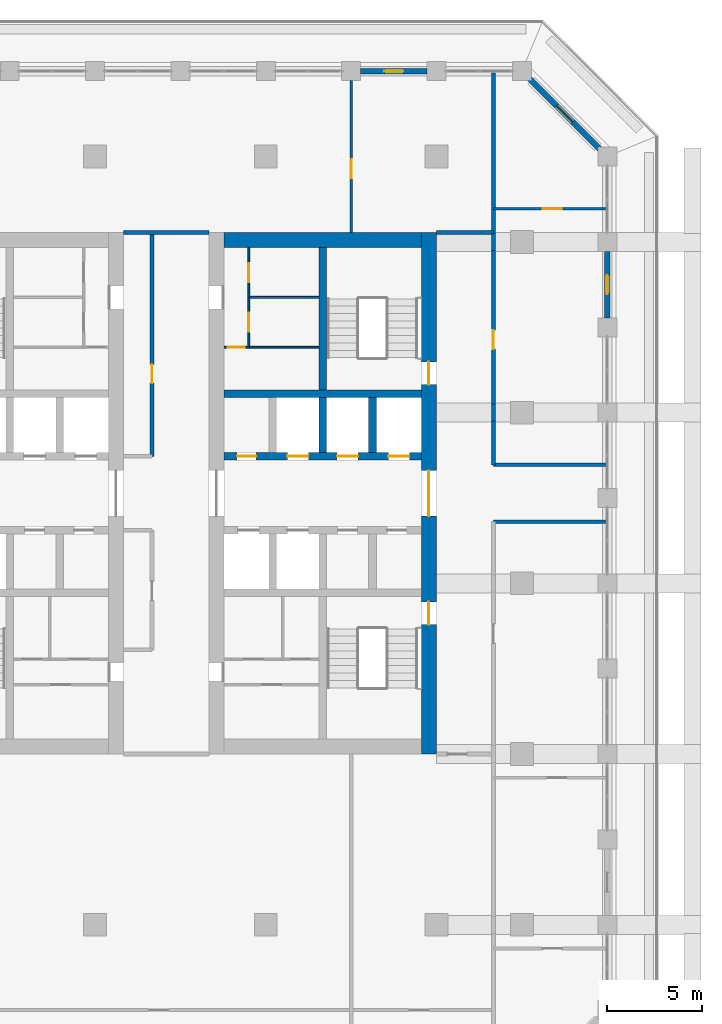
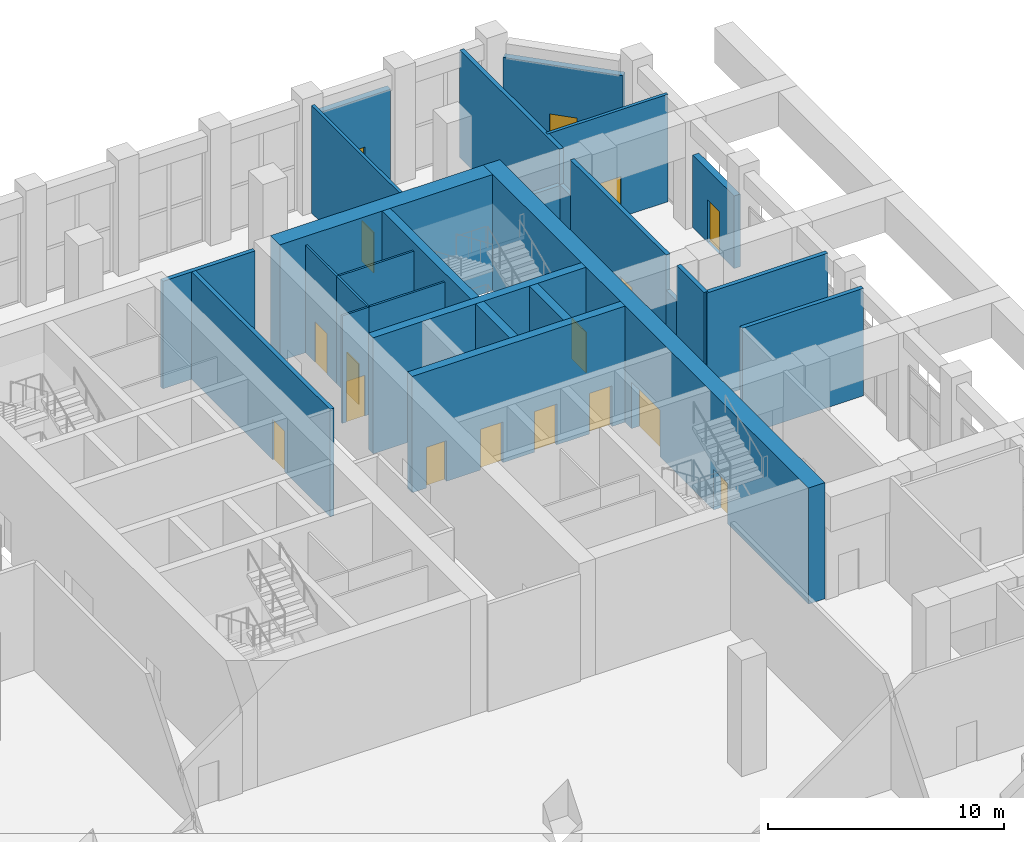
# One storey, part 16 of 25: 27 walls, 17 doors, 17 openings.
"""IFC4 building model written with IfcOpenShell, lengths in metres."""

from ifc_helpers import new_model, si_unit, direction, frame, frame_2d, origin, place, context, subcontext, project, spatial, rectangle, extrude, material, layer, layer_set, type_object, element, fill, save


model = new_model("IFC4")

# Units and contexts
model_context = context("Model", 3, precision=1e-05, world=origin(), true_north=direction((0.0, 1.0)))
body_context = subcontext(model_context, "Body", "Model", "MODEL_VIEW")
ifc_project = project(units=[si_unit("LENGTHUNIT", "METRE"), si_unit("AREAUNIT", "SQUARE_METRE"), si_unit("VOLUMEUNIT", "CUBIC_METRE"), si_unit("PLANEANGLEUNIT", "RADIAN"), si_unit("MASSUNIT", "GRAM", prefix="KILO")], contexts=[model_context])

# Site, building, storey
site_placement = place(None, origin())
site = spatial("IfcSite", under=ifc_project, at=site_placement, CompositionType="ELEMENT")
building_placement = place(site_placement, origin())
building = spatial("IfcBuilding", under=site, at=building_placement, Name="Corbel Stack Research Tower", CompositionType="ELEMENT")
storey_placement = place(building_placement, frame((0.0, 0.0, 185.5)))
storey = spatial("IfcBuildingStorey", under=building, at=storey_placement, Name="L42", CompositionType="ELEMENT", Elevation=185.5)

# Wall, openings, doors
ifc_material_1 = material(Name="Concrete C60/75", Category="concrete")
ifc_layer_1 = layer(ifc_material_1, 0.39990234375)
ifc_layer_set_1 = layer_set([ifc_layer_1], Name="Concrete C60/75")
wall_type_1 = type_object("IfcWallType", Name="CW-400-60", PredefinedType="SHEAR", material=ifc_layer_set_1)
wall_1_placement = place(storey_placement, frame((6.800048828125, 6.699951171875, 0.0), z_axis=(0.0, 0.0, 1.0), x_axis=(1.0, 0.0, 0.0)))
wall_1 = element("IfcWall", 1, at=wall_1_placement, inside=storey, type_object=wall_type_1, Name="East core wall, lobby north L42", PredefinedType="SHEAR", context=body_context, shape_type="SweptSolid", body=[
    extrude(rectangle(XDim=10.39990234375, YDim=0.39990234375, at=frame_2d((5.199951171875, 0.0))), origin(), (0.0, 0.0, 1.0), 6.0),
])
opening_1_placement = place(wall_1_placement, frame((3.33740234375, 0.0, 0.0)))
opening_1 = element("IfcOpeningElement", 2, at=opening_1_placement, cuts=wall_1, Name="Opening LD-HR4", PredefinedType="OPENING", context=body_context, shape_type="SweptSolid", body=[
    extrude(rectangle(XDim=1.10009765625, YDim=2.10009765625, at=frame_2d((0.550048828125, 1.050048828125))), frame((0.0, 0.2099609375, 0.0), z_axis=(0.0, -1.0, 0.0), x_axis=(1.0, 0.0, 0.0)), (0.0, 0.0, 1.0), 0.419921875),
])
opening_2_placement = place(wall_1_placement, frame((5.96240234375, 0.0, 0.0)))
opening_2 = element("IfcOpeningElement", 3, at=opening_2_placement, cuts=wall_1, Name="Opening LD-HR5", PredefinedType="OPENING", context=body_context, shape_type="SweptSolid", body=[
    extrude(rectangle(XDim=1.10009765625, YDim=2.10009765625, at=frame_2d((0.550048828125, 1.050048828125))), frame((0.0, 0.2099609375, 0.0), z_axis=(0.0, -1.0, 0.0), x_axis=(1.0, 0.0, 0.0)), (0.0, 0.0, 1.0), 0.419921875),
])
opening_3_placement = place(wall_1_placement, frame((8.66259765625, 0.0, 0.0)))
opening_3 = element("IfcOpeningElement", 4, at=opening_3_placement, cuts=wall_1, Name="Opening LD-HR6", PredefinedType="OPENING", context=body_context, shape_type="SweptSolid", body=[
    extrude(rectangle(XDim=1.10009765625, YDim=2.10009765625, at=frame_2d((0.550048828125, 1.050048828125))), frame((0.0, 0.2099609375, 0.0), z_axis=(0.0, -1.0, 0.0), x_axis=(1.0, 0.0, 0.0)), (0.0, 0.0, 1.0), 0.419921875),
])
opening_4_placement = place(wall_1_placement, frame((0.6875, 0.0, 0.0)))
opening_4 = element("IfcOpeningElement", 5, at=opening_4_placement, cuts=wall_1, Name="Opening CR-E24-N1", PredefinedType="OPENING", context=body_context, shape_type="SweptSolid", body=[
    extrude(rectangle(XDim=1.0, YDim=2.10009765625, at=frame_2d((0.5, 1.050048828125))), frame((0.0, 0.2099609375, 0.0), z_axis=(0.0, -1.0, 0.0), x_axis=(1.0, 0.0, 0.0)), (0.0, 0.0, 1.0), 0.419921875),
])
ifc_material_2 = material(Name="Stainless steel landing door", Category="steel")
door_type_1 = type_object("IfcDoorType", Name="Lift landing door 1100 x 2100", OperationType="DOUBLE_DOOR_SLIDING", PredefinedType="DOOR", material=ifc_material_2)
door_1_placement = place(opening_1_placement, origin())
door_1 = element("IfcDoor", 6, at=door_1_placement, inside=storey, type_object=door_type_1, Name="Landing door HR4", OperationType="DOUBLE_DOOR_SLIDING", OverallHeight=2.10009765625, OverallWidth=1.10009765625, PredefinedType="DOOR", context=body_context, shape_type="SweptSolid", body=[
    extrude(rectangle(XDim=1.10009765625, YDim=2.10009765625, at=frame_2d((0.550048828125, 1.050048828125))), frame((0.0, 0.02490234375, 0.0), z_axis=(0.0, -1.0, 0.0), x_axis=(1.0, 0.0, 0.0)), (0.0, 0.0, 1.0), 0.050048828125),
])
fill(opening_1, door_1)
door_2_placement = place(opening_2_placement, origin())
door_2 = element("IfcDoor", 7, at=door_2_placement, inside=storey, type_object=door_type_1, Name="Landing door HR5", OperationType="DOUBLE_DOOR_SLIDING", OverallHeight=2.10009765625, OverallWidth=1.10009765625, PredefinedType="DOOR", context=body_context, shape_type="SweptSolid", body=[
    extrude(rectangle(XDim=1.10009765625, YDim=2.10009765625, at=frame_2d((0.550048828125, 1.050048828125))), frame((0.0, 0.02490234375, 0.0), z_axis=(0.0, -1.0, 0.0), x_axis=(1.0, 0.0, 0.0)), (0.0, 0.0, 1.0), 0.050048828125),
])
fill(opening_2, door_2)
door_3_placement = place(opening_3_placement, origin())
door_3 = element("IfcDoor", 8, at=door_3_placement, inside=storey, type_object=door_type_1, Name="Landing door HR6", OperationType="DOUBLE_DOOR_SLIDING", OverallHeight=2.10009765625, OverallWidth=1.10009765625, PredefinedType="DOOR", context=body_context, shape_type="SweptSolid", body=[
    extrude(rectangle(XDim=1.10009765625, YDim=2.10009765625, at=frame_2d((0.550048828125, 1.050048828125))), frame((0.0, 0.02490234375, 0.0), z_axis=(0.0, -1.0, 0.0), x_axis=(1.0, 0.0, 0.0)), (0.0, 0.0, 1.0), 0.050048828125),
])
fill(opening_3, door_3)
ifc_material_3 = material(Name="Painted steel door", Category="steel")
door_type_2 = type_object("IfcDoorType", Name="Service door 1000 x 2100 FD60 left hand", OperationType="SINGLE_SWING_LEFT", PredefinedType="DOOR", material=ifc_material_3)
door_4_placement = place(opening_4_placement, origin())
door_4 = element("IfcDoor", 9, at=door_4_placement, inside=storey, type_object=door_type_2, Name="Copy and supply store door E core", OperationType="SINGLE_SWING_LEFT", OverallHeight=2.10009765625, OverallWidth=1.0, PredefinedType="DOOR", context=body_context, shape_type="SweptSolid", body=[
    extrude(rectangle(XDim=1.0, YDim=2.10009765625, at=frame_2d((0.5, 1.050048828125))), frame((0.0, 0.02490234375, 0.0), z_axis=(0.0, -1.0, 0.0), x_axis=(1.0, 0.0, 0.0)), (0.0, 0.0, 1.0), 0.050048828125),
])
fill(opening_4, door_4)

# Walls
wall_2_placement = place(storey_placement, frame((6.800048828125, 10.0, 0.0), z_axis=(0.0, 0.0, 1.0), x_axis=(1.0, 0.0, 0.0)))
element("IfcWall", 10, at=wall_2_placement, inside=storey, type_object=wall_type_1, Name="East core wall, north row back L42", PredefinedType="SHEAR", context=body_context, shape_type="SweptSolid", body=[
    extrude(rectangle(XDim=10.39990234375, YDim=0.39990234375, at=frame_2d((5.199951171875, 0.0))), origin(), (0.0, 0.0, 1.0), 6.0),
])
for number, where, z_axis, x_axis, name in (
    (11, (12.0, 6.89990234375, 0.0), (0.0, 0.0, 1.0), (0.0, 1.0, 0.0), "East core wall, north shaft 2 L42"),
    (12, (14.625, 6.89990234375, 0.0), (0.0, 0.0, 1.0), (0.0, 1.0, 0.0), "East core wall, north shaft 3 L42"),
):
    element("IfcWall", number, at=place(storey_placement, frame(where, z_axis=z_axis, x_axis=x_axis)), inside=storey, type_object=wall_type_1, Name=name, PredefinedType="SHEAR", context=body_context, shape_type="SweptSolid", body=[
        extrude(rectangle(XDim=2.900146484375, YDim=0.39990234375, at=frame_2d((1.4501953125, 0.0))), origin(), (0.0, 0.0, 1.0), 6.0),
    ])
wall_3_placement = place(storey_placement, frame((12.0, 10.199951171875, 0.0), z_axis=(0.0, 0.0, 1.0), x_axis=(0.0, 1.0, 0.0)))
element("IfcWall", 13, at=wall_3_placement, inside=storey, type_object=wall_type_1, Name="East core wall, north stair and riser L42", PredefinedType="SHEAR", context=body_context, shape_type="SweptSolid", body=[
    extrude(rectangle(XDim=7.5, YDim=0.39990234375, at=frame_2d((3.75, 0.0))), origin(), (0.0, 0.0, 1.0), 6.0),
])

# Wall, openings, doors
ifc_material_4 = material(Name="Concrete C60/75", Category="concrete")
ifc_layer_2 = layer(ifc_material_4, 0.800048828125)
ifc_layer_set_2 = layer_set([ifc_layer_2], Name="Concrete C60/75")
wall_type_2 = type_object("IfcWallType", Name="CW-800-60", PredefinedType="SHEAR", material=ifc_layer_set_2)
wall_4_placement = place(storey_placement, frame((17.60009765625, -9.0, 0.0), z_axis=(0.0, 0.0, 1.0), x_axis=(0.0, 1.0, 0.0)))
wall_4 = element("IfcWall", 14, at=wall_4_placement, inside=storey, type_object=wall_type_2, Name="East core wall, east face L42", PredefinedType="SHEAR", context=body_context, shape_type="SweptSolid", body=[
    extrude(rectangle(XDim=27.5, YDim=0.800048828125, at=frame_2d((13.75, 0.0))), origin(), (0.0, 0.0, 1.0), 6.0),
])
opening_5_placement = place(wall_4_placement, frame((12.550048828125, 0.0, 0.0)))
opening_5 = element("IfcOpeningElement", 15, at=opening_5_placement, cuts=wall_4, Name="Opening CD-E-E", PredefinedType="OPENING", context=body_context, shape_type="SweptSolid", body=[
    extrude(rectangle(XDim=2.39990234375, YDim=2.39990234375, at=frame_2d((1.199951171875, 1.199951171875))), frame((0.0, 0.409912109375, 0.0), z_axis=(0.0, -1.0, 0.0), x_axis=(1.0, 0.0, 0.0)), (0.0, 0.0, 1.0), 0.820068359375),
])
opening_6_placement = place(wall_4_placement, frame((6.824951171875, 0.0, 0.0)))
opening_6 = element("IfcOpeningElement", 16, at=opening_6_placement, cuts=wall_4, Name="Opening SD-ST-E1", PredefinedType="OPENING", context=body_context, shape_type="SweptSolid", body=[
    extrude(rectangle(XDim=1.199951171875, YDim=2.10009765625, at=frame_2d((0.60009765625, 1.050048828125))), frame((0.0, 0.409912109375, 0.0), z_axis=(0.0, -1.0, 0.0), x_axis=(1.0, 0.0, 0.0)), (0.0, 0.0, 1.0), 0.820068359375),
])
opening_7_placement = place(wall_4_placement, frame((19.47509765625, 0.0, 0.0)))
opening_7 = element("IfcOpeningElement", 17, at=opening_7_placement, cuts=wall_4, Name="Opening SD-ST-E2", PredefinedType="OPENING", context=body_context, shape_type="SweptSolid", body=[
    extrude(rectangle(XDim=1.199951171875, YDim=2.10009765625, at=frame_2d((0.60009765625, 1.050048828125))), frame((0.0, 0.409912109375, 0.0), z_axis=(0.0, -1.0, 0.0), x_axis=(1.0, 0.0, 0.0)), (0.0, 0.0, 1.0), 0.820068359375),
])
ifc_material_5 = material(Name="Painted steel fire door", Category="steel")
door_type_3 = type_object("IfcDoorType", Name="Lobby door pair 2400 x 2400 FD30S", OperationType="DOUBLE_DOOR_DOUBLE_SWING", PredefinedType="DOOR", material=ifc_material_5)
door_5_placement = place(opening_5_placement, origin())
door_5 = element("IfcDoor", 18, at=door_5_placement, inside=storey, type_object=door_type_3, Name="Lift lobby door E core E", OperationType="DOUBLE_DOOR_DOUBLE_SWING", OverallHeight=2.39990234375, OverallWidth=2.39990234375, PredefinedType="DOOR", context=body_context, shape_type="SweptSolid", body=[
    extrude(rectangle(XDim=2.39990234375, YDim=2.39990234375, at=frame_2d((1.199951171875, 1.199951171875))), frame((0.0, 0.02490234375, 0.0), z_axis=(0.0, -1.0, 0.0), x_axis=(1.0, 0.0, 0.0)), (0.0, 0.0, 1.0), 0.050048828125),
])
fill(opening_5, door_5)
ifc_material_6 = material(Name="Painted steel fire door", Category="steel")
door_type_4 = type_object("IfcDoorType", Name="Stair door 1200 x 2100 FD90 right hand", OperationType="SINGLE_SWING_RIGHT", PredefinedType="DOOR", material=ifc_material_6)
door_6_placement = place(opening_6_placement, frame((1.199951171875, 0.0, 0.0), z_axis=(0.0, 0.0, 1.0), x_axis=(-1.0, 0.0, 0.0)))
door_6 = element("IfcDoor", 19, at=door_6_placement, inside=storey, type_object=door_type_4, Name="Stair door ST-E1", OperationType="SINGLE_SWING_LEFT", OverallHeight=2.10009765625, OverallWidth=1.199951171875, PredefinedType="DOOR", context=body_context, shape_type="SweptSolid", body=[
    extrude(rectangle(XDim=1.199951171875, YDim=2.10009765625, at=frame_2d((0.60009765625, 1.050048828125))), frame((0.0, 0.02490234375, 0.0), z_axis=(0.0, -1.0, 0.0), x_axis=(1.0, 0.0, 0.0)), (0.0, 0.0, 1.0), 0.050048828125),
])
fill(opening_6, door_6)
door_7_placement = place(opening_7_placement, frame((1.199951171875, 0.0, 0.0), z_axis=(0.0, 0.0, 1.0), x_axis=(-1.0, 0.0, 0.0)))
door_7 = element("IfcDoor", 20, at=door_7_placement, inside=storey, type_object=door_type_4, Name="Stair door ST-E2", OperationType="SINGLE_SWING_LEFT", OverallHeight=2.10009765625, OverallWidth=1.199951171875, PredefinedType="DOOR", context=body_context, shape_type="SweptSolid", body=[
    extrude(rectangle(XDim=1.199951171875, YDim=2.10009765625, at=frame_2d((0.60009765625, 1.050048828125))), frame((0.0, 0.02490234375, 0.0), z_axis=(0.0, -1.0, 0.0), x_axis=(1.0, 0.0, 0.0)), (0.0, 0.0, 1.0), 0.050048828125),
])
fill(opening_7, door_7)

# Wall
wall_5_placement = place(storey_placement, frame((6.800048828125, 18.10009765625, 0.0), z_axis=(0.0, 0.0, 1.0), x_axis=(1.0, 0.0, 0.0)))
element("IfcWall", 21, at=wall_5_placement, inside=storey, type_object=wall_type_2, Name="East core wall, north end L42", PredefinedType="SHEAR", context=body_context, shape_type="SweptSolid", body=[
    extrude(rectangle(XDim=10.39990234375, YDim=0.800048828125, at=frame_2d((5.199951171875, 0.0))), origin(), (0.0, 0.0, 1.0), 6.0),
])

# Wall, opening, door
ifc_material_7 = material(Name="Gypsum board")
ifc_layer_3 = layer(ifc_material_7, 0.10009765625)
ifc_layer_set_3 = layer_set([ifc_layer_3], Name="Gypsum board")
wall_type_3 = type_object("IfcWallType", Name="Core partition 100", PredefinedType="PARTITIONING", material=ifc_layer_set_3)
wall_6_placement = place(storey_placement, frame((6.800048828125, 12.449951171875, 0.0), z_axis=(0.0, 0.0, 1.0), x_axis=(1.0, 0.0, 0.0)))
wall_6 = element("IfcWall", 22, at=wall_6_placement, inside=storey, type_object=wall_type_3, Name="Core partition E", PredefinedType="PARTITIONING", context=body_context, shape_type="SweptSolid", body=[
    extrude(rectangle(XDim=1.300048828125, YDim=0.10009765625, at=frame_2d((0.64990234375, 0.0))), origin(), (0.0, 0.0, 1.0), 5.550048828125),
])
opening_8_placement = place(wall_6_placement, frame((0.199951171875, 0.0, 0.0)))
opening_8 = element("IfcOpeningElement", 23, at=opening_8_placement, cuts=wall_6, Name="Opening CR-E24-R1-900", PredefinedType="OPENING", context=body_context, shape_type="SweptSolid", body=[
    extrude(rectangle(XDim=0.89990234375, YDim=2.10009765625, at=frame_2d((0.449951171875, 1.050048828125))), frame((0.0, 0.06005859375, 0.0), z_axis=(0.0, -1.0, 0.0), x_axis=(1.0, 0.0, 0.0)), (0.0, 0.0, 1.0), 0.1201171875),
])
ifc_material_8 = material(Name="Painted steel door", Category="steel")
door_type_5 = type_object("IfcDoorType", Name="Riser door 900 x 2100 FD60 right hand", OperationType="SINGLE_SWING_RIGHT", PredefinedType="DOOR", material=ifc_material_8)
door_8_placement = place(opening_8_placement, origin())
door_8 = element("IfcDoor", 24, at=door_8_placement, inside=storey, type_object=door_type_5, Name="Electrical riser door E core", OperationType="SINGLE_SWING_RIGHT", OverallHeight=2.10009765625, OverallWidth=0.89990234375, PredefinedType="DOOR", context=body_context, shape_type="SweptSolid", body=[
    extrude(rectangle(XDim=0.89990234375, YDim=2.10009765625, at=frame_2d((0.449951171875, 1.050048828125))), frame((0.0, 0.02490234375, 0.0), z_axis=(0.0, -1.0, 0.0), x_axis=(1.0, 0.0, 0.0)), (0.0, 0.0, 1.0), 0.050048828125),
])
fill(opening_8, door_8)

# Wall
wall_7_placement = place(storey_placement, frame((8.10009765625, 12.449951171875, 0.0), z_axis=(0.0, 0.0, 1.0), x_axis=(1.0, 0.0, 0.0)))
element("IfcWall", 25, at=wall_7_placement, inside=storey, type_object=wall_type_3, Name="Core partition E", PredefinedType="PARTITIONING", context=body_context, shape_type="SweptSolid", body=[
    extrude(rectangle(XDim=3.699951171875, YDim=0.10009765625, at=frame_2d((1.85009765625, 0.0))), origin(), (0.0, 0.0, 1.0), 5.550048828125),
])

# Wall, opening, door
wall_8_placement = place(storey_placement, frame((8.10009765625, 12.449951171875, 0.0), z_axis=(0.0, 0.0, 1.0), x_axis=(0.0, 1.0, 0.0)))
wall_8 = element("IfcWall", 26, at=wall_8_placement, inside=storey, type_object=wall_type_3, Name="Core partition E", PredefinedType="PARTITIONING", context=body_context, shape_type="SweptSolid", body=[
    extrude(rectangle(XDim=2.625, YDim=0.10009765625, at=frame_2d((1.3125, 0.0))), origin(), (0.0, 0.0, 1.0), 5.550048828125),
])
opening_9_placement = place(wall_8_placement, frame((0.8125, 0.0, 0.0)))
opening_9 = element("IfcOpeningElement", 27, at=opening_9_placement, cuts=wall_8, Name="Opening CR-E24-R3-1000", PredefinedType="OPENING", context=body_context, shape_type="SweptSolid", body=[
    extrude(rectangle(XDim=1.0, YDim=2.10009765625, at=frame_2d((0.5, 1.050048828125))), frame((0.0, 0.06005859375, 0.0), z_axis=(0.0, -1.0, 0.0), x_axis=(1.0, 0.0, 0.0)), (0.0, 0.0, 1.0), 0.1201171875),
])
ifc_material_9 = material(Name="Painted steel door", Category="steel")
door_type_6 = type_object("IfcDoorType", Name="Service door 1000 x 2100 FD30 right hand", OperationType="SINGLE_SWING_RIGHT", PredefinedType="DOOR", material=ifc_material_9)
door_9_placement = place(opening_9_placement, origin())
door_9 = element("IfcDoor", 28, at=door_9_placement, inside=storey, type_object=door_type_6, Name="Pantry door E core", OperationType="SINGLE_SWING_RIGHT", OverallHeight=2.10009765625, OverallWidth=1.0, PredefinedType="DOOR", context=body_context, shape_type="SweptSolid", body=[
    extrude(rectangle(XDim=1.0, YDim=2.10009765625, at=frame_2d((0.5, 1.050048828125))), frame((0.0, 0.02490234375, 0.0), z_axis=(0.0, -1.0, 0.0), x_axis=(1.0, 0.0, 0.0)), (0.0, 0.0, 1.0), 0.050048828125),
])
fill(opening_9, door_9)

wall_9_placement = place(storey_placement, frame((8.10009765625, 15.074951171875, 0.0), z_axis=(0.0, 0.0, 1.0), x_axis=(0.0, 1.0, 0.0)))
wall_9 = element("IfcWall", 29, at=wall_9_placement, inside=storey, type_object=wall_type_3, Name="Core partition E", PredefinedType="PARTITIONING", context=body_context, shape_type="SweptSolid", body=[
    extrude(rectangle(XDim=2.625, YDim=0.10009765625, at=frame_2d((1.3125, 0.0))), origin(), (0.0, 0.0, 1.0), 5.550048828125),
])
opening_10_placement = place(wall_9_placement, frame((0.8125, 0.0, 0.0)))
opening_10 = element("IfcOpeningElement", 30, at=opening_10_placement, cuts=wall_9, Name="Opening CR-E24-R4-1000", PredefinedType="OPENING", context=body_context, shape_type="SweptSolid", body=[
    extrude(rectangle(XDim=1.0, YDim=2.10009765625, at=frame_2d((0.5, 1.050048828125))), frame((0.0, 0.06005859375, 0.0), z_axis=(0.0, -1.0, 0.0), x_axis=(1.0, 0.0, 0.0)), (0.0, 0.0, 1.0), 0.1201171875),
])
ifc_material_10 = material(Name="Painted steel door", Category="steel")
door_type_7 = type_object("IfcDoorType", Name="Service door 1000 x 2100 FD30 left hand", OperationType="SINGLE_SWING_LEFT", PredefinedType="DOOR", material=ifc_material_10)
door_10_placement = place(opening_10_placement, origin())
door_10 = element("IfcDoor", 31, at=door_10_placement, inside=storey, type_object=door_type_7, Name="Copy and supply store door E core", OperationType="SINGLE_SWING_LEFT", OverallHeight=2.10009765625, OverallWidth=1.0, PredefinedType="DOOR", context=body_context, shape_type="SweptSolid", body=[
    extrude(rectangle(XDim=1.0, YDim=2.10009765625, at=frame_2d((0.5, 1.050048828125))), frame((0.0, 0.02490234375, 0.0), z_axis=(0.0, -1.0, 0.0), x_axis=(1.0, 0.0, 0.0)), (0.0, 0.0, 1.0), 0.050048828125),
])
fill(opening_10, door_10)

# Wall
wall_10_placement = place(storey_placement, frame((8.10009765625, 15.074951171875, 0.0), z_axis=(0.0, 0.0, 1.0), x_axis=(1.0, 0.0, 0.0)))
element("IfcWall", 32, at=wall_10_placement, inside=storey, type_object=wall_type_3, Name="Core partition E", PredefinedType="PARTITIONING", context=body_context, shape_type="SweptSolid", body=[
    extrude(rectangle(XDim=3.699951171875, YDim=0.10009765625, at=frame_2d((1.85009765625, 0.0))), origin(), (0.0, 0.0, 1.0), 5.550048828125),
])

# Wall, opening, door
ifc_material_11 = material(Name="Fire-rated gypsum board partition on steel studs", Category="steel")
ifc_layer_4 = layer(ifc_material_11, 0.14990234375)
ifc_layer_set_4 = layer_set([ifc_layer_4], Name="Fire-rated gypsum board partition on steel studs")
wall_type_4 = type_object("IfcWallType", Name="Fire-rated partition 150 EI 60", PredefinedType="PARTITIONING", material=ifc_layer_set_4)
wall_11_placement = place(storey_placement, frame((13.5, 26.5, 0.0), z_axis=(0.0, 0.0, 1.0), x_axis=(0.0, -1.0, 0.0)))
wall_11 = element("IfcWall", 33, at=wall_11_placement, inside=storey, type_object=wall_type_4, Name="Partition L42-005", PredefinedType="PARTITIONING", context=body_context, shape_type="SweptSolid", body=[
    extrude(rectangle(XDim=8.0, YDim=0.14990234375, at=frame_2d((4.0, 0.0))), origin(), (0.0, 0.0, 1.0), 5.550048828125),
])
opening_11_placement = place(wall_11_placement, frame((4.14990234375, 0.0, 0.0)))
opening_11 = element("IfcOpeningElement", 34, at=opening_11_placement, cuts=wall_11, Name="Opening B5AM-013", PredefinedType="OPENING", context=body_context, shape_type="SweptSolid", body=[
    extrude(rectangle(XDim=1.0, YDim=2.10009765625, at=frame_2d((0.5, 1.050048828125))), frame((0.0, 0.0849609375, 0.0), z_axis=(0.0, -1.0, 0.0), x_axis=(1.0, 0.0, 0.0)), (0.0, 0.0, 1.0), 0.169921875),
])
ifc_material_12 = material(Name="Painted steel fire door", Category="steel")
door_type_8 = type_object("IfcDoorType", Name="Fire door FD30S 1000 x 2100", OperationType="NOTDEFINED", PredefinedType="DOOR", material=ifc_material_12)
door_11_placement = place(opening_11_placement, origin())
door_11 = element("IfcDoor", 35, at=door_11_placement, inside=storey, type_object=door_type_8, Name="Door B5AM-013", OperationType="SINGLE_SWING_RIGHT", OverallHeight=2.10009765625, OverallWidth=1.0, PredefinedType="DOOR", context=body_context, shape_type="SweptSolid", body=[
    extrude(rectangle(XDim=1.0, YDim=2.10009765625, at=frame_2d((0.5, 1.050048828125))), frame((0.0, 0.02490234375, 0.0), z_axis=(0.0, -1.0, 0.0), x_axis=(1.0, 0.0, 0.0)), (0.0, 0.0, 1.0), 0.050048828125),
])
fill(opening_11, door_11)

ifc_material_13 = material(Name="Fire-rated gypsum board partition on steel studs", Category="steel")
ifc_layer_5 = layer(ifc_material_13, 0.199951171875)
ifc_layer_set_5 = layer_set([ifc_layer_5], Name="Fire-rated gypsum board partition on steel studs")
wall_type_5 = type_object("IfcWallType", Name="Fire-rated partition 200 EI 60", PredefinedType="PARTITIONING", material=ifc_layer_set_5)
wall_12_placement = place(storey_placement, frame((3.0, 6.699951171875, 0.0), z_axis=(0.0, 0.0, 1.0), x_axis=(0.0, 1.0, 0.0)))
wall_12 = element("IfcWall", 36, at=wall_12_placement, inside=storey, type_object=wall_type_5, Name="Partition L42-004", PredefinedType="PARTITIONING", context=body_context, shape_type="SweptSolid", body=[
    extrude(rectangle(XDim=11.800048828125, YDim=0.199951171875, at=frame_2d((5.89990234375, 0.0))), origin(), (0.0, 0.0, 1.0), 5.550048828125),
])
opening_12_placement = place(wall_12_placement, frame((3.85009765625, 0.0, 0.0)))
opening_12 = element("IfcOpeningElement", 37, at=opening_12_placement, cuts=wall_12, Name="Opening B5AM-010", PredefinedType="OPENING", context=body_context, shape_type="SweptSolid", body=[
    extrude(rectangle(XDim=1.0, YDim=2.10009765625, at=frame_2d((0.5, 1.050048828125))), frame((0.0, 0.10986328125, 0.0), z_axis=(0.0, -1.0, 0.0), x_axis=(1.0, 0.0, 0.0)), (0.0, 0.0, 1.0), 0.219970703125),
])
door_12_placement = place(opening_12_placement, origin())
door_12 = element("IfcDoor", 38, at=door_12_placement, inside=storey, type_object=door_type_8, Name="Door B5AM-010", OperationType="SINGLE_SWING_LEFT", OverallHeight=2.10009765625, OverallWidth=1.0, PredefinedType="DOOR", context=body_context, shape_type="SweptSolid", body=[
    extrude(rectangle(XDim=1.0, YDim=2.10009765625, at=frame_2d((0.5, 1.050048828125))), frame((0.0, 0.02490234375, 0.0), z_axis=(0.0, -1.0, 0.0), x_axis=(1.0, 0.0, 0.0)), (0.0, 0.0, 1.0), 0.050048828125),
])
fill(opening_12, door_12)

# Walls
wall_13_placement = place(storey_placement, frame((21.0, 6.25, 0.0), z_axis=(0.0, 0.0, 1.0), x_axis=(0.0, 1.0, 0.0)))
element("IfcWall", 39, at=wall_13_placement, inside=storey, type_object=wall_type_5, Name="Partition L42-014", PredefinedType="PARTITIONING", context=body_context, shape_type="SweptSolid", body=[
    extrude(rectangle(XDim=2.300048828125, YDim=0.199951171875, at=frame_2d((1.14990234375, 0.0))), origin(), (0.0, 0.0, 1.0), 5.550048828125),
])
wall_14_placement = place(storey_placement, frame((21.0, 8.550048828125, 0.0), z_axis=(0.0, 0.0, 1.0), x_axis=(0.0, 1.0, 0.0)))
element("IfcWall", 40, at=wall_14_placement, inside=storey, type_object=wall_type_5, Name="Partition L42-015", PredefinedType="PARTITIONING", context=body_context, shape_type="SweptSolid", body=[
    extrude(rectangle(XDim=0.89990234375, YDim=0.199951171875, at=frame_2d((0.449951171875, 0.0))), origin(), (0.0, 0.0, 1.0), 3.719970703125),
])

# Wall, opening, door
wall_15_placement = place(storey_placement, frame((21.0, 17.550048828125, 0.0), z_axis=(0.0, 0.0, 1.0), x_axis=(0.0, -1.0, 0.0)))
wall_15 = element("IfcWall", 41, at=wall_15_placement, inside=storey, type_object=wall_type_5, Name="Partition L42-016", PredefinedType="PARTITIONING", context=body_context, shape_type="SweptSolid", body=[
    extrude(rectangle(XDim=8.10009765625, YDim=0.199951171875, at=frame_2d((4.050048828125, 0.0))), origin(), (0.0, 0.0, 1.0), 5.550048828125),
])
opening_13_placement = place(wall_15_placement, frame((4.199951171875, 0.0, 0.0)))
opening_13 = element("IfcOpeningElement", 42, at=opening_13_placement, cuts=wall_15, Name="Opening B5AM-018", PredefinedType="OPENING", context=body_context, shape_type="SweptSolid", body=[
    extrude(rectangle(XDim=1.0, YDim=2.10009765625, at=frame_2d((0.5, 1.050048828125))), frame((0.0, 0.10986328125, 0.0), z_axis=(0.0, -1.0, 0.0), x_axis=(1.0, 0.0, 0.0)), (0.0, 0.0, 1.0), 0.219970703125),
])
door_13_placement = place(opening_13_placement, origin())
door_13 = element("IfcDoor", 43, at=door_13_placement, inside=storey, type_object=door_type_8, Name="Door B5AM-018", OperationType="SINGLE_SWING_RIGHT", OverallHeight=2.10009765625, OverallWidth=1.0, PredefinedType="DOOR", context=body_context, shape_type="SweptSolid", body=[
    extrude(rectangle(XDim=1.0, YDim=2.10009765625, at=frame_2d((0.5, 1.050048828125))), frame((0.0, 0.02490234375, 0.0), z_axis=(0.0, -1.0, 0.0), x_axis=(1.0, 0.0, 0.0)), (0.0, 0.0, 1.0), 0.050048828125),
])
fill(opening_13, door_13)

# Walls
wall_16_placement = place(storey_placement, frame((21.0, 17.550048828125, 0.0), z_axis=(0.0, 0.0, 1.0), x_axis=(0.0, 1.0, 0.0)))
element("IfcWall", 44, at=wall_16_placement, inside=storey, type_object=wall_type_5, Name="Partition L42-017", PredefinedType="PARTITIONING", context=body_context, shape_type="SweptSolid", body=[
    extrude(rectangle(XDim=0.89990234375, YDim=0.199951171875, at=frame_2d((0.449951171875, 0.0))), origin(), (0.0, 0.0, 1.0), 3.719970703125),
])
wall_17_placement = place(storey_placement, frame((21.0, 18.449951171875, 0.0), z_axis=(0.0, 0.0, 1.0), x_axis=(0.0, 1.0, 0.0)))
element("IfcWall", 45, at=wall_17_placement, inside=storey, type_object=wall_type_5, Name="Partition L42-018", PredefinedType="PARTITIONING", context=body_context, shape_type="SweptSolid", body=[
    extrude(rectangle(XDim=8.449951171875, YDim=0.199951171875, at=frame_2d((4.22509765625, 0.0))), origin(), (0.0, 0.0, 1.0), 5.550048828125),
])
for number, where, z_axis, x_axis, name in (
    (46, (21.0, 3.25, 0.0), (0.0, 0.0, 1.0), (1.0, 0.0, 0.0), "Partition L42-036"),
    (47, (21.0, 6.25, 0.0), (0.0, 0.0, 1.0), (1.0, 0.0, 0.0), "Partition L42-040"),
):
    element("IfcWall", number, at=place(storey_placement, frame(where, z_axis=z_axis, x_axis=x_axis)), inside=storey, type_object=wall_type_5, Name=name, PredefinedType="PARTITIONING", context=body_context, shape_type="SweptSolid", body=[
        extrude(rectangle(XDim=5.89990234375, YDim=0.199951171875, at=frame_2d((2.949951171875, 0.0))), origin(), (0.0, 0.0, 1.0), 5.550048828125),
    ])
wall_18_placement = place(storey_placement, frame((1.5, 18.5, 0.0), z_axis=(0.0, 0.0, 1.0), x_axis=(1.0, 0.0, 0.0)))
element("IfcWall", 48, at=wall_18_placement, inside=storey, type_object=wall_type_5, Name="Partition L42-043", PredefinedType="PARTITIONING", context=body_context, shape_type="SweptSolid", body=[
    extrude(rectangle(XDim=4.5, YDim=0.199951171875, at=frame_2d((2.25, 0.0))), origin(), (0.0, 0.0, 1.0), 5.550048828125),
])
wall_19_placement = place(storey_placement, frame((18.0, 18.5, 0.0), z_axis=(0.0, 0.0, 1.0), x_axis=(1.0, 0.0, 0.0)))
element("IfcWall", 49, at=wall_19_placement, inside=storey, type_object=wall_type_5, Name="Partition L42-044", PredefinedType="PARTITIONING", context=body_context, shape_type="SweptSolid", body=[
    extrude(rectangle(XDim=3.0, YDim=0.199951171875, at=frame_2d((1.5, 0.0))), origin(), (0.0, 0.0, 1.0), 3.719970703125),
])

# Wall, opening, door
ifc_material_14 = material(Name="Gypsum board partition on steel studs", Category="steel")
ifc_layer_6 = layer(ifc_material_14, 0.14990234375)
ifc_layer_set_6 = layer_set([ifc_layer_6], Name="Gypsum board partition on steel studs")
wall_type_6 = type_object("IfcWallType", Name="Partition 150", PredefinedType="PARTITIONING", material=ifc_layer_set_6)
wall_20_placement = place(storey_placement, frame((21.0, 19.75, 0.0), z_axis=(0.0, 0.0, 1.0), x_axis=(1.0, 0.0, 0.0)))
wall_20 = element("IfcWall", 50, at=wall_20_placement, inside=storey, type_object=wall_type_6, Name="Partition L42-048", PredefinedType="PARTITIONING", context=body_context, shape_type="SweptSolid", body=[
    extrude(rectangle(XDim=5.89990234375, YDim=0.14990234375, at=frame_2d((2.949951171875, 0.0))), origin(), (0.0, 0.0, 1.0), 5.550048828125),
])
opening_14_placement = place(wall_20_placement, frame((2.60009765625, 0.0, 0.0)))
opening_14 = element("IfcOpeningElement", 51, at=opening_14_placement, cuts=wall_20, Name="Opening B5AM-016", PredefinedType="OPENING", context=body_context, shape_type="SweptSolid", body=[
    extrude(rectangle(XDim=1.0, YDim=2.10009765625, at=frame_2d((0.5, 1.050048828125))), frame((0.0, 0.0849609375, 0.0), z_axis=(0.0, -1.0, 0.0), x_axis=(1.0, 0.0, 0.0)), (0.0, 0.0, 1.0), 0.169921875),
])
ifc_material_15 = material(Name="Painted timber door", Category="wood")
door_type_9 = type_object("IfcDoorType", Name="Single door 1000 x 2100", OperationType="NOTDEFINED", PredefinedType="DOOR", material=ifc_material_15)
door_14_placement = place(opening_14_placement, origin())
door_14 = element("IfcDoor", 52, at=door_14_placement, inside=storey, type_object=door_type_9, Name="Door B5AM-016", OperationType="SINGLE_SWING_RIGHT", OverallHeight=2.10009765625, OverallWidth=1.0, PredefinedType="DOOR", context=body_context, shape_type="SweptSolid", body=[
    extrude(rectangle(XDim=1.0, YDim=2.10009765625, at=frame_2d((0.5, 1.050048828125))), frame((0.0, 0.02490234375, 0.0), z_axis=(0.0, -1.0, 0.0), x_axis=(1.0, 0.0, 0.0)), (0.0, 0.0, 1.0), 0.050048828125),
])
fill(opening_14, door_14)

ifc_material_16 = material(Name="Concrete C45/55", Category="concrete")
ifc_layer_7 = layer(ifc_material_16, 0.300048828125)
ifc_layer_set_7 = layer_set([ifc_layer_7], Name="Concrete C45/55")
wall_type_7 = type_object("IfcWallType", Name="Terracotta-faced concrete wall 300", PredefinedType="SOLIDWALL", material=ifc_layer_set_7)
wall_21_placement = place(storey_placement, frame((27.0, 17.5, 0.0), z_axis=(0.0, 0.0, 1.0), x_axis=(0.0, -1.0, 0.0)))
wall_21 = element("IfcWall", 53, at=wall_21_placement, inside=storey, type_object=wall_type_7, Name="Facade wall L42 E09", PredefinedType="SOLIDWALL", context=body_context, shape_type="SweptSolid", body=[
    extrude(rectangle(XDim=3.5, YDim=0.300048828125, at=frame_2d((1.75, 0.0))), origin(), (0.0, 0.0, 1.0), 3.75),
])
opening_15_placement = place(wall_21_placement, frame((1.25, 0.0, 0.0)))
opening_15 = element("IfcOpeningElement", 54, at=opening_15_placement, cuts=wall_21, Name="Opening L42-B05", PredefinedType="OPENING", context=body_context, shape_type="SweptSolid", body=[
    extrude(rectangle(XDim=1.0, YDim=2.199951171875, at=frame_2d((0.5, 1.10009765625))), frame((0.0, 0.159912109375, 0.0), z_axis=(0.0, -1.0, 0.0), x_axis=(1.0, 0.0, 0.0)), (0.0, 0.0, 1.0), 0.320068359375),
])
ifc_material_17 = material(Name="Aluminium frame, clear double glazing", Category="aluminium")
door_type_10 = type_object("IfcDoorType", Name="Balcony door BD1 1000 x 2200", OperationType="NOTDEFINED", PredefinedType="DOOR", material=ifc_material_17)
door_15_placement = place(opening_15_placement, origin())
door_15 = element("IfcDoor", 55, at=door_15_placement, inside=storey, type_object=door_type_10, Name="Balcony door L42-B05", OperationType="SINGLE_SWING_LEFT", OverallHeight=2.199951171875, OverallWidth=1.0, PredefinedType="DOOR", context=body_context, shape_type="SweptSolid", body=[
    extrude(rectangle(XDim=1.0, YDim=2.199951171875, at=frame_2d((0.5, 1.10009765625))), frame((0.0, 0.02490234375, 0.0), z_axis=(0.0, -1.0, 0.0), x_axis=(1.0, 0.0, 0.0)), (0.0, 0.0, 1.0), 0.050048828125),
])
fill(opening_15, door_15)

wall_22_placement = place(storey_placement, frame((22.893798828125, 26.606201171875, 0.0), z_axis=(0.0, 0.0, 1.0), x_axis=(0.707106781187, -0.707106781187, 0.0)))
wall_22 = element("IfcWall", 56, at=wall_22_placement, inside=storey, type_object=wall_type_7, Name="Facade wall L42 NE01", PredefinedType="SOLIDWALL", context=body_context, shape_type="SweptSolid", body=[
    extrude(rectangle(XDim=5.250244140625, YDim=0.300048828125, at=frame_2d((2.625, 0.0))), origin(), (0.0, 0.0, 1.0), 4.75),
])
opening_16_placement = place(wall_22_placement, frame((2.02490234375, 0.0, 0.0)))
opening_16 = element("IfcOpeningElement", 57, at=opening_16_placement, cuts=wall_22, Name="Opening L42-B06", PredefinedType="OPENING", context=body_context, shape_type="SweptSolid", body=[
    extrude(rectangle(XDim=1.199951171875, YDim=2.199951171875, at=frame_2d((0.60009765625, 1.10009765625))), frame((0.0, 0.159912109375, 0.0), z_axis=(0.0, -1.0, 0.0), x_axis=(1.0, 0.0, 0.0)), (0.0, 0.0, 1.0), 0.320068359375),
])
ifc_material_18 = material(Name="Aluminium frame, clear double glazing", Category="aluminium")
door_type_11 = type_object("IfcDoorType", Name="Balcony door BD2 1200 x 2200", OperationType="NOTDEFINED", PredefinedType="DOOR", material=ifc_material_18)
door_16_placement = place(opening_16_placement, origin())
door_16 = element("IfcDoor", 58, at=door_16_placement, inside=storey, type_object=door_type_11, Name="Balcony door L42-B06", OperationType="SINGLE_SWING_LEFT", OverallHeight=2.199951171875, OverallWidth=1.199951171875, PredefinedType="DOOR", context=body_context, shape_type="SweptSolid", body=[
    extrude(rectangle(XDim=1.199951171875, YDim=2.199951171875, at=frame_2d((0.60009765625, 1.10009765625))), frame((0.0, 0.02490234375, 0.0), z_axis=(0.0, -1.0, 0.0), x_axis=(1.0, 0.0, 0.0)), (0.0, 0.0, 1.0), 0.050048828125),
])
fill(opening_16, door_16)

wall_23_placement = place(storey_placement, frame((14.0, 27.0, 0.0), z_axis=(0.0, 0.0, 1.0), x_axis=(1.0, 0.0, 0.0)))
wall_23 = element("IfcWall", 59, at=wall_23_placement, inside=storey, type_object=wall_type_7, Name="Facade wall L42 N02", PredefinedType="SOLIDWALL", context=body_context, shape_type="SweptSolid", body=[
    extrude(rectangle(XDim=3.5, YDim=0.300048828125, at=frame_2d((1.75, 0.0))), origin(), (0.0, 0.0, 1.0), 4.75),
])
opening_17_placement = place(wall_23_placement, frame((1.25, 0.0, 0.0)))
opening_17 = element("IfcOpeningElement", 60, at=opening_17_placement, cuts=wall_23, Name="Opening L42-B07", PredefinedType="OPENING", context=body_context, shape_type="SweptSolid", body=[
    extrude(rectangle(XDim=1.0, YDim=2.199951171875, at=frame_2d((0.5, 1.10009765625))), frame((0.0, 0.159912109375, 0.0), z_axis=(0.0, -1.0, 0.0), x_axis=(1.0, 0.0, 0.0)), (0.0, 0.0, 1.0), 0.320068359375),
])
door_17_placement = place(opening_17_placement, origin())
door_17 = element("IfcDoor", 61, at=door_17_placement, inside=storey, type_object=door_type_10, Name="Balcony door L42-B07", OperationType="SINGLE_SWING_RIGHT", OverallHeight=2.199951171875, OverallWidth=1.0, PredefinedType="DOOR", context=body_context, shape_type="SweptSolid", body=[
    extrude(rectangle(XDim=1.0, YDim=2.199951171875, at=frame_2d((0.5, 1.10009765625))), frame((0.0, 0.02490234375, 0.0), z_axis=(0.0, -1.0, 0.0), x_axis=(1.0, 0.0, 0.0)), (0.0, 0.0, 1.0), 0.050048828125),
])
fill(opening_17, door_17)

save(model, "model.ifc")
